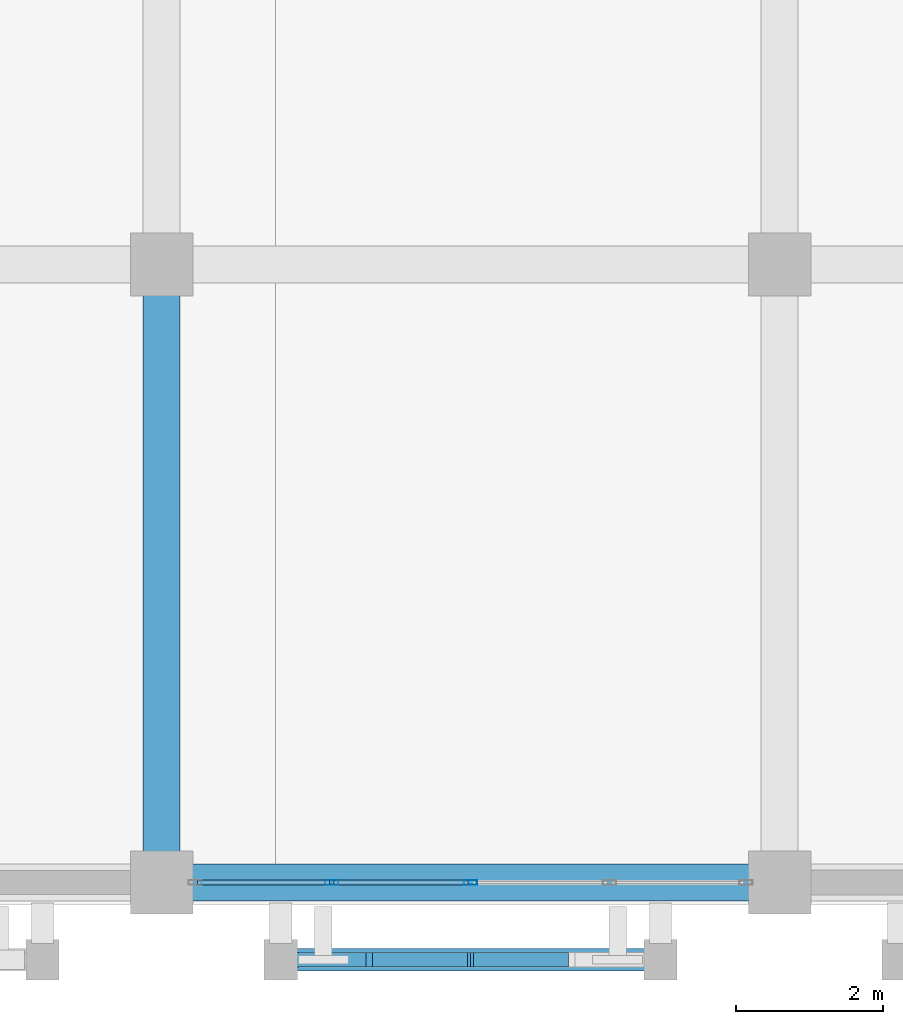
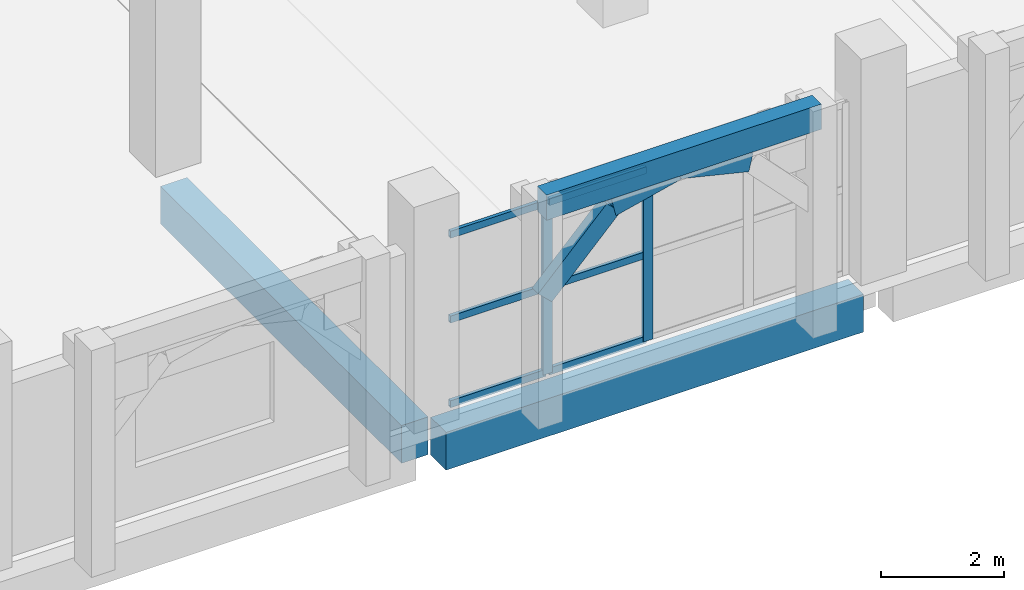
# One storey, part 13 of 137: 11 members, 3 beams, 1 element without a shape of its own.
"""IFC4 building model written with IfcOpenShell, lengths in metres."""

from ifc_helpers import new_model, si_unit, direction, frame, origin, origin_2d, place, context, subcontext, project, spatial, rectangle, hollow_rectangle, extrude, material, layer, layer_set, material_profile, profile_set, type_object, element, aggregate, save


model = new_model("IFC4")

# Units and contexts
model_context = context("Model", 3, precision=1e-05, world=origin(), true_north=direction((0.0, 1.0)))
body_context = subcontext(model_context, "Body", "Model", "MODEL_VIEW")
ifc_project = project(units=[si_unit("LENGTHUNIT", "METRE"), si_unit("AREAUNIT", "SQUARE_METRE"), si_unit("VOLUMEUNIT", "CUBIC_METRE"), si_unit("PLANEANGLEUNIT", "RADIAN"), si_unit("MASSUNIT", "GRAM", prefix="KILO")], contexts=[model_context])

# Site, building, storey
site_placement = place(None, origin())
site = spatial("IfcSite", under=ifc_project, at=site_placement, CompositionType="ELEMENT")
building_placement = place(site_placement, origin())
building = spatial("IfcBuilding", under=site, at=building_placement, Name="Xazarin Passage Department Store", CompositionType="ELEMENT")
storey_placement = place(building_placement, frame((0.0, 0.0, 5.39990234375)))
storey = spatial("IfcBuildingStorey", under=building, at=storey_placement, Name="L01", CompositionType="ELEMENT", Elevation=5.39990234375)

# Curtain wall, members
ifc_material_1 = material(Name="Bronze anodised aluminium", Category="aluminium")
ifc_layer = layer(ifc_material_1, 0.18994140625)
ifc_layer_set = layer_set([ifc_layer], Name="Bronze anodised aluminium")
curtain_wall_type = type_object("IfcCurtainWallType", Name="ARC-CW-FDH1", PredefinedType="NOTDEFINED", material=ifc_layer_set)
curtain_wall_placement = place(storey_placement, origin())
curtain_wall = element("IfcCurtainWall", 1, at=curtain_wall_placement, inside=storey, type_object=curtain_wall_type, Name="L01 V3 Curtain Wall 125", PredefinedType="NOTDEFINED")
ifc_material_profile_1 = material_profile(ifc_material_1, hollow_rectangle(XDim=0.06494140625, YDim=0.179931640625, WallThickness=0.00390625, at=origin_2d()), Name="ALU 65x180")
ifc_profile_set_1 = profile_set([ifc_material_profile_1], Name="Bronze anodised aluminium")
member_type_1 = type_object("IfcMemberType", Name="ARC-CWM-65x180", PredefinedType="MULLION", material=ifc_profile_set_1)
member_1_placement = place(storey_placement, frame((44.3125, 0.0, 0.0), z_axis=(0.0, 0.0, 1.0), x_axis=(0.0, 1.0, 0.0)))
member_1 = element("IfcMember", 2, at=member_1_placement, type_object=member_type_1, Name="CW5 mullion 2", PredefinedType="MULLION", context=body_context, shape_type="SweptSolid", body=[
    extrude(hollow_rectangle(XDim=0.06494140625, YDim=0.179931640625, WallThickness=0.00390625, at=origin_2d()), origin(), (0.0, 0.0, 1.0), 3.43017578125),
])
member_2_placement = place(storey_placement, frame((46.199951171875, 0.0, 0.0), z_axis=(0.0, 0.0, 1.0), x_axis=(0.0, 1.0, 0.0)))
member_2 = element("IfcMember", 3, at=member_2_placement, type_object=member_type_1, Name="CW5 mullion 3", PredefinedType="MULLION", context=body_context, shape_type="SweptSolid", body=[
    extrude(hollow_rectangle(XDim=0.06494140625, YDim=0.179931640625, WallThickness=0.00390625, at=origin_2d()), origin(), (0.0, 0.0, 1.0), 3.43017578125),
])
ifc_material_profile_2 = material_profile(ifc_material_1, hollow_rectangle(XDim=0.06494140625, YDim=0.139892578125, WallThickness=0.00390625, at=origin_2d()), Name="ALU 65x140")
ifc_profile_set_2 = profile_set([ifc_material_profile_2], Name="Bronze anodised aluminium")
member_type_2 = type_object("IfcMemberType", Name="ARC-CWT-65x140", PredefinedType="USERDEFINED", material=ifc_profile_set_2)
member_3_placement = place(storey_placement, frame((42.489990234375, 0.0, 0.03271484375), z_axis=(1.0, 0.0, 0.0), x_axis=(0.0, 1.0, 0.0)))
member_3 = element("IfcMember", 4, at=member_3_placement, type_object=member_type_2, Name="CW5 transom 1.1", ObjectType="TRANSOM", PredefinedType="USERDEFINED", context=body_context, shape_type="SweptSolid", body=[
    extrude(hollow_rectangle(XDim=0.06494140625, YDim=0.139892578125, WallThickness=0.00390625, at=origin_2d()), origin(), (0.0, 0.0, 1.0), 1.7900390625),
])
member_4_placement = place(storey_placement, frame((42.489990234375, 0.0, 1.715087890625), z_axis=(1.0, 0.0, 0.0), x_axis=(0.0, 1.0, 0.0)))
member_4 = element("IfcMember", 5, at=member_4_placement, type_object=member_type_2, Name="CW5 transom 1.2", ObjectType="TRANSOM", PredefinedType="USERDEFINED", context=body_context, shape_type="SweptSolid", body=[
    extrude(hollow_rectangle(XDim=0.06494140625, YDim=0.139892578125, WallThickness=0.00390625, at=origin_2d()), origin(), (0.0, 0.0, 1.0), 1.7900390625),
])
member_5_placement = place(storey_placement, frame((42.489990234375, 0.0, 3.397705078125), z_axis=(1.0, 0.0, 0.0), x_axis=(0.0, 1.0, 0.0)))
member_5 = element("IfcMember", 6, at=member_5_placement, type_object=member_type_2, Name="CW5 transom 1.3", ObjectType="TRANSOM", PredefinedType="USERDEFINED", context=body_context, shape_type="SweptSolid", body=[
    extrude(hollow_rectangle(XDim=0.06494140625, YDim=0.139892578125, WallThickness=0.00390625, at=origin_2d()), origin(), (0.0, 0.0, 1.0), 1.7900390625),
])
member_6_placement = place(storey_placement, frame((44.344970703125, 0.0, 0.03271484375), z_axis=(1.0, 0.0, 0.0), x_axis=(0.0, 1.0, 0.0)))
member_6 = element("IfcMember", 7, at=member_6_placement, type_object=member_type_2, Name="CW5 transom 2.1", ObjectType="TRANSOM", PredefinedType="USERDEFINED", context=body_context, shape_type="SweptSolid", body=[
    extrude(hollow_rectangle(XDim=0.06494140625, YDim=0.139892578125, WallThickness=0.00390625, at=origin_2d()), origin(), (0.0, 0.0, 1.0), 1.822509765625),
])
member_7_placement = place(storey_placement, frame((44.344970703125, 0.0, 1.715087890625), z_axis=(1.0, 0.0, 0.0), x_axis=(0.0, 1.0, 0.0)))
member_7 = element("IfcMember", 8, at=member_7_placement, type_object=member_type_2, Name="CW5 transom 2.2", ObjectType="TRANSOM", PredefinedType="USERDEFINED", context=body_context, shape_type="SweptSolid", body=[
    extrude(hollow_rectangle(XDim=0.06494140625, YDim=0.139892578125, WallThickness=0.00390625, at=origin_2d()), origin(), (0.0, 0.0, 1.0), 1.822509765625),
])
member_8_placement = place(storey_placement, frame((44.344970703125, 0.0, 3.397705078125), z_axis=(1.0, 0.0, 0.0), x_axis=(0.0, 1.0, 0.0)))
member_8 = element("IfcMember", 9, at=member_8_placement, type_object=member_type_2, Name="CW5 transom 2.3", ObjectType="TRANSOM", PredefinedType="USERDEFINED", context=body_context, shape_type="SweptSolid", body=[
    extrude(hollow_rectangle(XDim=0.06494140625, YDim=0.139892578125, WallThickness=0.00390625, at=origin_2d()), origin(), (0.0, 0.0, 1.0), 1.822509765625),
])
aggregate(curtain_wall, [member_1, member_2, member_3, member_4, member_5, member_6, member_7, member_8])

# Beams
ifc_material_2 = material(Name="Concrete C35/45", Category="concrete")
ifc_material_profile_3 = material_profile(ifc_material_2, rectangle(XDim=0.300048828125, YDim=0.5, at=origin_2d()), Name="RC 300x500")
ifc_profile_set_3 = profile_set([ifc_material_profile_3], Name="Concrete C35/45")
beam_type_1 = type_object("IfcBeamType", Name="STR-BM-LN300x500", PredefinedType="LINTEL", material=ifc_profile_set_3)
beam_placement = place(storey_placement, frame((43.6201171875, -1.050048828125, 4.25), z_axis=(1.0, 0.0, 0.0), x_axis=(0.0, 1.0, 0.0)))
element("IfcBeam", 10, at=beam_placement, inside=storey, type_object=beam_type_1, Name="L01 V3 Colonnade Spandrel Beam 031", PredefinedType="LINTEL", context=body_context, shape_type="SweptSolid", body=[
    extrude(rectangle(XDim=0.300048828125, YDim=0.5, at=origin_2d()), origin(), (0.0, 0.0, 1.0), 5.159912109375),
])
ifc_material_profile_4 = material_profile(ifc_material_2, rectangle(XDim=0.5, YDim=0.75, at=origin_2d()), Name="RC 500x750")
ifc_profile_set_4 = profile_set([ifc_material_profile_4], Name="Concrete C35/45")
beam_type_2 = type_object("IfcBeamType", Name="STR-BM-SP500x750", PredefinedType="SPANDREL", material=ifc_profile_set_4)
for number, where, z_axis, x_axis, name in (
    (11, (42.280029296875, 0.0, -0.69482421875), (1.0, 0.0, 0.0), (0.0, 1.0, 0.0), "L01 Grid Beam A/6-7"),
    (12, (42.0, 0.280029296875, -0.69482421875), (0.0, 1.0, 0.0), (-1.0, 0.0, 0.0), "L01 Grid Beam 6/A-B"),
):
    element("IfcBeam", number, at=place(storey_placement, frame(where, z_axis=z_axis, x_axis=x_axis)), inside=storey, type_object=beam_type_2, Name=name, PredefinedType="SPANDREL", context=body_context, shape_type="SweptSolid", body=[
        extrude(rectangle(XDim=0.5, YDim=0.75, at=origin_2d()), origin(), (0.0, 0.0, 1.0), 7.840087890625),
    ])

# Members
ifc_material_3 = material(Name="Concrete C40/50", Category="concrete")
ifc_material_profile_5 = material_profile(ifc_material_3, rectangle(XDim=0.199951171875, YDim=0.360107421875, at=origin_2d()), Name="RC 200x360")
ifc_profile_set_5 = profile_set([ifc_material_profile_5], Name="Concrete C40/50")
member_type_3 = type_object("IfcMemberType", Name="STR-MEM-ARC360", PredefinedType="CHORD", material=ifc_profile_set_5)
member_9_placement = place(storey_placement, frame((43.6201171875, -1.050048828125, 2.43017578125), z_axis=(0.693391944082, 0.0, 0.720560623322), x_axis=(0.0, 1.0, 0.0)))
element("IfcMember", 13, at=member_9_placement, inside=storey, type_object=member_type_3, Name="L01 V3 Pierced Lattice Curved Arch 031.1", PredefinedType="CHORD", context=body_context, shape_type="SweptSolid", body=[
    extrude(rectangle(XDim=0.199951171875, YDim=0.360107421875, at=origin_2d()), origin(), (0.0, 0.0, 1.0), 1.860107421875),
])
for number, where, z_axis, x_axis, name in (
    (14, (44.909912109375, -1.050048828125, 3.7705078125), (0.972393983317, 0.0, 0.233345111818), (0.0, 1.0, 0.0), "L01 V3 Pierced Lattice Curved Arch 031.2"),
    (15, (46.199951171875, -1.050048828125, 4.080078125), (0.972393983317, 0.0, -0.233345111818), (0.0, 1.0, 0.0), "L01 V3 Pierced Lattice Curved Arch 031.3"),
):
    element("IfcMember", number, at=place(storey_placement, frame(where, z_axis=z_axis, x_axis=x_axis)), inside=storey, type_object=member_type_3, Name=name, PredefinedType="CHORD", context=body_context, shape_type="SweptSolid", body=[
        extrude(rectangle(XDim=0.199951171875, YDim=0.360107421875, at=origin_2d()), origin(), (0.0, 0.0, 1.0), 1.32666015625),
    ])

save(model, "model.ifc")
